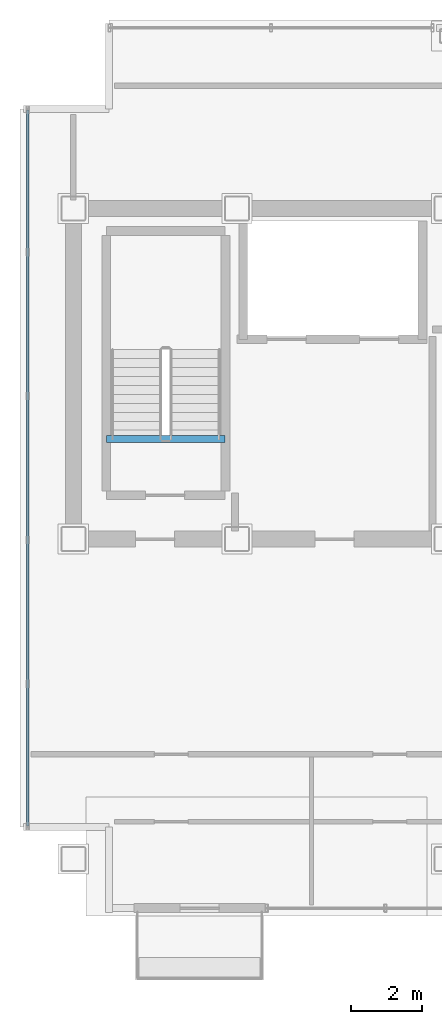
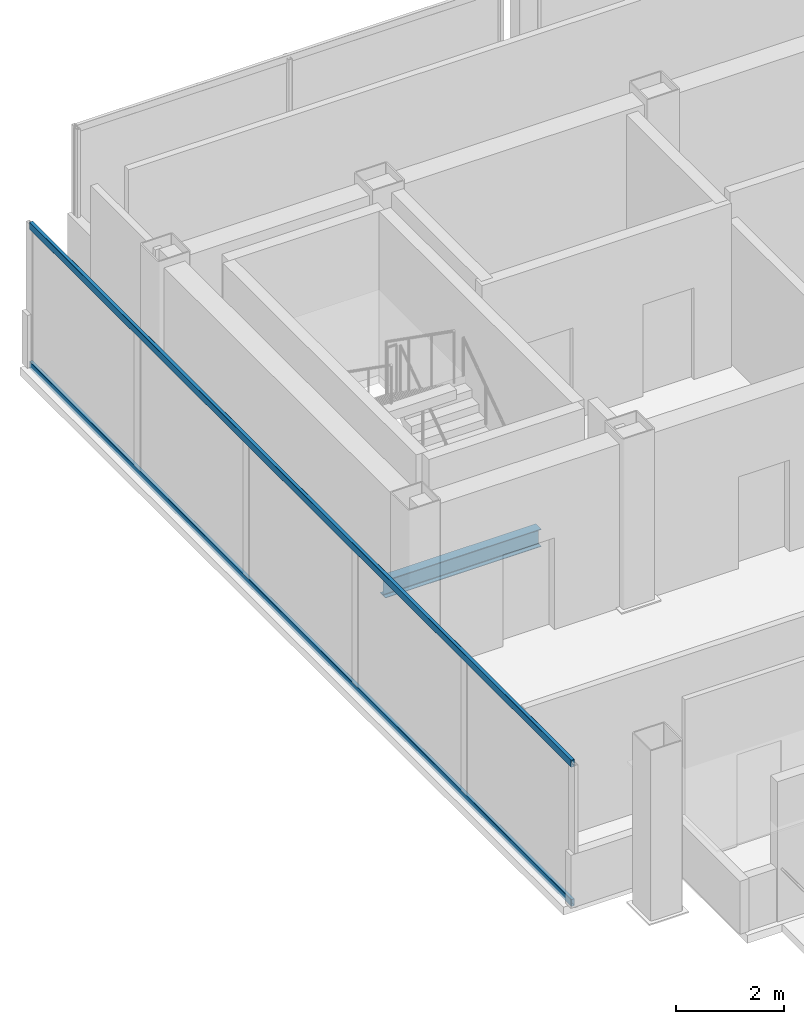
# One storey, part 5 of 17: 2 members, 1 beam, 1 element without a shape of its own.
"""IFC4 building model written with IfcOpenShell, lengths in metres."""

import ifcopenshell
import ifcopenshell.guid

model = None  # the IFC model being written
_history = None  # IfcOwnerHistory: only IFC2X3 demands one
_inside = {}  # id of a spatial element -> (the spatial element, [elements in it])
_under = {}  # id of a project, library or spatial element -> (it, [spatial elements below it])
_declared = {}  # id of a project -> (the project, [libraries it declares])
_typed = {}  # id of a type object -> (the type object, [elements of that type])
_made_of = {}  # id of a material, layer set ... -> (it, [elements and type objects made of it])


def new_model(schema):
    """Start an empty IFC model of exactly this schema.

    Asked for "IFC4X3", IfcOpenShell would pick the latest addendum, in which some entities
    have other attributes; the version numbers below select the first issue.
    IFC2X3 requires an IfcOwnerHistory on every rooted entity: one is made here for all.
    """
    global model, _history
    if schema == "IFC4X3":
        model = ifcopenshell.file(schema_version=(4, 3, 0, 0))
    else:
        model = ifcopenshell.file(schema=schema)
    _inside.clear()
    _under.clear()
    _declared.clear()
    _typed.clear()
    _made_of.clear()
    _history = None
    if model.schema == "IFC2X3":
        org = make("IfcOrganization", Name="unknown")
        user = make(
            "IfcPersonAndOrganization",
            ThePerson=make("IfcPerson", FamilyName="unknown"),
            TheOrganization=org,
        )
        app = make(
            "IfcApplication",
            ApplicationDeveloper=org,
            Version="unknown",
            ApplicationFullName="unknown",
            ApplicationIdentifier="unknown",
        )
        _history = make(
            "IfcOwnerHistory",
            OwningUser=user,
            OwningApplication=app,
            ChangeAction="ADDED",
            CreationDate=0,
        )
    return model


def make(cls, **values):
    """One entity of the class cls with the attributes given. An attribute that is None is left unset."""
    return model.create_entity(
        cls, **{name: value for name, value in values.items() if value is not None}
    )


def rooted(cls, **values):
    """An entity with a GlobalId (a new one), such as an element, a storey or a relation."""
    return make(cls, GlobalId=ifcopenshell.guid.new(), OwnerHistory=_history, **values)


def si_unit(unit_type, name, prefix=None):
    """IfcSIUnit, for example si_unit("LENGTHUNIT", "METRE", prefix="MILLI")."""
    return make("IfcSIUnit", UnitType=unit_type, Prefix=prefix, Name=name)


def assignment(units):
    """IfcUnitAssignment: the units of a project."""
    return None if units is None else make("IfcUnitAssignment", Units=units)


def point(xyz):
    """IfcCartesianPoint."""
    return None if xyz is None else make("IfcCartesianPoint", Coordinates=xyz)


def direction(xyz):
    """IfcDirection."""
    return None if xyz is None else make("IfcDirection", DirectionRatios=xyz)


def frame(location, z_axis=None, x_axis=None):
    """IfcAxis2Placement3D, a coordinate frame: its origin and axes. An axis left out is left unset."""
    return make(
        "IfcAxis2Placement3D",
        Location=point(location),
        Axis=direction(z_axis),
        RefDirection=direction(x_axis),
    )


def frame_2d(location, x_axis=None):
    """IfcAxis2Placement2D, a coordinate frame in the plane: its origin and x axis."""
    return make(
        "IfcAxis2Placement2D", Location=point(location), RefDirection=direction(x_axis)
    )


def origin():
    """The frame at (0, 0, 0) with its axes left unset."""
    return frame((0.0, 0.0, 0.0))


def origin_2d():
    """The frame at (0, 0) in the plane with its x axis left unset."""
    return frame_2d((0.0, 0.0))


def place(relative_to, where):
    """IfcLocalPlacement: puts the frame where relative to a parent placement (None: the world)."""
    return make(
        "IfcLocalPlacement", PlacementRelTo=relative_to, RelativePlacement=where
    )


def context(
    kind, dimensions, precision=None, world=None, true_north=None, identifier=None
):
    """IfcGeometricRepresentationContext, for example the 3D "Model" context."""
    return make(
        "IfcGeometricRepresentationContext",
        ContextIdentifier=identifier,
        ContextType=kind,
        CoordinateSpaceDimension=dimensions,
        Precision=precision,
        WorldCoordinateSystem=world,
        TrueNorth=true_north,
    )


def subcontext(parent, identifier, kind, view, scale=None):
    """IfcGeometricRepresentationSubContext, for example "Body" below "Model"."""
    return make(
        "IfcGeometricRepresentationSubContext",
        ContextIdentifier=identifier,
        ContextType=kind,
        ParentContext=parent,
        TargetScale=scale,
        TargetView=view,
    )


def project(units=None, contexts=None):
    """IfcProject with its units and contexts."""
    return rooted(
        "IfcProject",
        Name="project",
        RepresentationContexts=contexts,
        UnitsInContext=assignment(units),
    )


def spatial(cls, under=None, at=None, **own):
    """A site, building, storey or space (cls), placed at a placement, below another one or the project."""
    s = rooted(cls, ObjectPlacement=at, **own)
    if under is not None:
        _under.setdefault(under.id(), (under, []))[1].append(s)
    return s


def profile(cls, at=None, kind="AREA", **sizes):
    """A parametric profile (cls). Its sizes go by their IFC names, for example OverallWidth=200.0."""
    return make(cls, ProfileType=kind, Position=at, **sizes)


def hollow_rectangle(**sizes):
    """IfcRectangleHollowProfileDef."""
    return profile("IfcRectangleHollowProfileDef", **sizes)


def i_section(**sizes):
    """IfcIShapeProfileDef."""
    return profile("IfcIShapeProfileDef", **sizes)


def extrude(swept, where, along, depth):
    """IfcExtrudedAreaSolid: the profile swept, set in the frame where, extruded along a direction by depth."""
    return make(
        "IfcExtrudedAreaSolid",
        SweptArea=swept,
        Position=where,
        ExtrudedDirection=direction(along),
        Depth=depth,
    )


def shape(context_of_items, identifier, shape_type, items):
    """IfcShapeRepresentation: the items that make up one representation, for example the "Body"."""
    return make(
        "IfcShapeRepresentation",
        ContextOfItems=context_of_items,
        RepresentationIdentifier=identifier,
        RepresentationType=shape_type,
        Items=items,
    )


def material(Name=None, Category=None):
    """IfcMaterial."""
    return make("IfcMaterial", Name=Name, Category=Category)


def material_profile(
    of_material, cross_section, Name=None, Category=None, Priority=None
):
    """IfcMaterialProfile: a cross section and its material."""
    return make(
        "IfcMaterialProfile",
        Name=Name,
        Material=of_material,
        Profile=cross_section,
        Priority=Priority,
        Category=Category,
    )


def profile_set(profiles, Name=None, composite=None):
    """IfcMaterialProfileSet."""
    return make(
        "IfcMaterialProfileSet",
        Name=Name,
        MaterialProfiles=profiles,
        CompositeProfile=composite,
    )


def made_of(thing, what):
    """Note that an element or type object is made of a material, layer set ...; save() writes the relation."""
    if what is not None:
        _made_of.setdefault(what.id(), (what, []))[1].append(thing)
    return thing


def type_object(cls, material=None, **own):
    """A type object (cls), such as IfcWallType, which elements share."""
    return made_of(rooted(cls, **own), material)


def element(
    cls,
    number,
    at=None,
    inside=None,
    cuts=None,
    type_object=None,
    material=None,
    context=None,
    identifier="Body",
    shape_type=None,
    held_by="IfcProductDefinitionShape",
    body=None,
    shapes=None,
    **own,
):
    """One element of the class cls, such as IfcWall. Its Tag is "e" and its number.

    at: its placement. inside: the storey or other place that contains it. cuts: it is an
    opening in that element (IfcRelVoidsElement). A single representation is given by context,
    identifier, shape_type and body (its items); several are given by shapes. held_by: the class
    of the entity that holds the representations. save() writes the other relations.
    """
    e = rooted(cls, Tag="e%d" % number, ObjectPlacement=at, **own)
    if body is not None:
        shapes = [shape(context, identifier, shape_type, body)]
    if shapes is not None:
        e.Representation = make(held_by, Representations=shapes)
    if inside is not None:
        _inside.setdefault(inside.id(), (inside, []))[1].append(e)
    if cuts is not None:
        rooted(
            "IfcRelVoidsElement", RelatingBuildingElement=cuts, RelatedOpeningElement=e
        )
    if type_object is not None:
        _typed.setdefault(type_object.id(), (type_object, []))[1].append(e)
    return made_of(e, material)


def aggregate(whole, parts):
    """IfcRelAggregates: a whole, such as a stair, and the parts it consists of."""
    return rooted("IfcRelAggregates", RelatingObject=whole, RelatedObjects=parts)


def save(model, path):
    """Write the relations noted so far, then the file.

    IfcRelAggregates (storeys below a building ...), IfcRelContainedInSpatialStructure (elements
    in a storey), IfcRelDefinesByType, IfcRelAssociatesMaterial and IfcRelDeclares: one each for
    every whole, place, type object, material and project.
    """
    for whole, parts in _under.values():
        aggregate(whole, parts)
    for where, things in _inside.values():
        rooted(
            "IfcRelContainedInSpatialStructure",
            RelatedElements=things,
            RelatingStructure=where,
        )
    for kind, things in _typed.values():
        rooted("IfcRelDefinesByType", RelatedObjects=things, RelatingType=kind)
    for what, things in _made_of.values():
        rooted("IfcRelAssociatesMaterial", RelatedObjects=things, RelatingMaterial=what)
    for by, libraries in _declared.values():
        rooted("IfcRelDeclares", RelatingContext=by, RelatedDefinitions=libraries)
    model.write(path)


model = new_model("IFC4")

# Units and contexts
model_context = context("Model", 3, precision=1e-05, world=origin(), true_north=direction((0.0, 1.0)))
body_context = subcontext(model_context, "Body", "Model", "MODEL_VIEW")
ifc_project = project(units=[si_unit("LENGTHUNIT", "METRE"), si_unit("AREAUNIT", "SQUARE_METRE"), si_unit("VOLUMEUNIT", "CUBIC_METRE"), si_unit("PLANEANGLEUNIT", "RADIAN"), si_unit("MASSUNIT", "GRAM", prefix="KILO")], contexts=[model_context])

# Site, building, storey
site_placement = place(None, origin())
site = spatial("IfcSite", under=ifc_project, at=site_placement, CompositionType="ELEMENT")
building_placement = place(site_placement, origin())
building = spatial("IfcBuilding", under=site, at=building_placement, Name="Noeulbin Bourse Tower", CompositionType="ELEMENT")
storey_placement = place(building_placement, frame((0.0, 0.0, 296.89990234375)))
storey = spatial("IfcBuildingStorey", under=building, at=storey_placement, Name="L74", CompositionType="ELEMENT", Elevation=296.89990234375)

# Beam
ifc_material_1 = material(Name="Steel S355", Category="steel")
ifc_material_profile_1 = material_profile(ifc_material_1, i_section(OverallWidth=0.199951171875, OverallDepth=0.39990234375, WebThickness=0.008056640625, FlangeThickness=0.012939453125, FilletRadius=0.01611328125, at=origin_2d()), Name="H-400x200x8x13", Category="LoadBearing")
ifc_profile_set_1 = profile_set([ifc_material_profile_1], Name="Steel S355")
beam_type = type_object("IfcBeamType", Name="BM-SEC-400", PredefinedType="BEAM", material=ifc_profile_set_1)
beam_placement = place(storey_placement, frame((14.429931640625, 31.820068359375, -0.199951171875), z_axis=(1.0, 0.0, 0.0), x_axis=(0.0, 1.0, 0.0)))
element("IfcBeam", 1, at=beam_placement, inside=storey, type_object=beam_type, Name="Stair Threshold Trimmer Beam ST1-L74", PredefinedType="BEAM", context=body_context, shape_type="SweptSolid", body=[
    extrude(i_section(OverallWidth=0.199951171875, OverallDepth=0.39990234375, WebThickness=0.008056640625, FlangeThickness=0.012939453125, FilletRadius=0.01611328125, at=origin_2d()), origin(), (0.0, 0.0, 1.0), 3.340087890625),
])

# Curtain wall, members
ifc_material_2 = material(Name="High-Selectivity Low-Iron Glazing", Category="glass")
curtain_wall_type = type_object("IfcCurtainWallType", Name="CW-SYS-4", PredefinedType="NOTDEFINED", material=ifc_material_2)
curtain_wall_placement = place(storey_placement, origin())
curtain_wall = element("IfcCurtainWall", 2, at=curtain_wall_placement, inside=storey, type_object=curtain_wall_type, Name="Unitised Curtain Wall CW-L74-W", PredefinedType="NOTDEFINED")
ifc_material_3 = material(Name="Anodised Aluminium 6063-T6", Category="aluminium")
ifc_material_profile_2 = material_profile(ifc_material_3, hollow_rectangle(XDim=0.074951171875, YDim=0.159912109375, WallThickness=0.0048828125, InnerFilletRadius=0.00244140625, OuterFilletRadius=0.0048828125, at=origin_2d()), Name="ALU-TRAN-75x160x5", Category="LoadBearing")
ifc_profile_set_2 = profile_set([ifc_material_profile_2], Name="Anodised Aluminium 6063-T6")
member_type = type_object("IfcMemberType", Name="CW-SYS-4-TRN", PredefinedType="USERDEFINED", material=ifc_profile_set_2)
member_1_placement = place(storey_placement, frame((12.219970703125, 20.929931640625, 0.010009765625), z_axis=(0.0, 1.0, 0.0), x_axis=(-1.0, 0.0, 0.0)))
member_1 = element("IfcMember", 3, at=member_1_placement, type_object=member_type, Name="Curtain Wall Transom CW-L74-W-T00", ObjectType="TRANSOM", PredefinedType="USERDEFINED", context=body_context, shape_type="SweptSolid", body=[
    extrude(hollow_rectangle(XDim=0.074951171875, YDim=0.159912109375, WallThickness=0.0048828125, InnerFilletRadius=0.00244140625, OuterFilletRadius=0.0048828125, at=origin_2d()), origin(), (0.0, 0.0, 1.0), 20.14013671875),
])
member_2_placement = place(storey_placement, frame((12.219970703125, 20.929931640625, 3.170166015625), z_axis=(0.0, 1.0, 0.0), x_axis=(-1.0, 0.0, 0.0)))
member_2 = element("IfcMember", 4, at=member_2_placement, type_object=member_type, Name="Curtain Wall Transom CW-L74-W-T01", ObjectType="TRANSOM", PredefinedType="USERDEFINED", context=body_context, shape_type="SweptSolid", body=[
    extrude(hollow_rectangle(XDim=0.074951171875, YDim=0.159912109375, WallThickness=0.0048828125, InnerFilletRadius=0.00244140625, OuterFilletRadius=0.0048828125, at=origin_2d()), origin(), (0.0, 0.0, 1.0), 20.14013671875),
])
aggregate(curtain_wall, [member_1, member_2])

save(model, "model.ifc")
